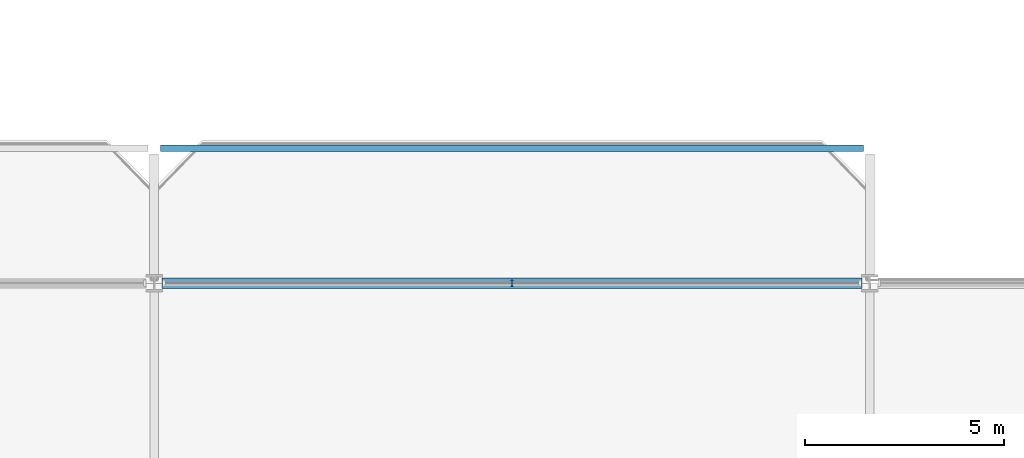
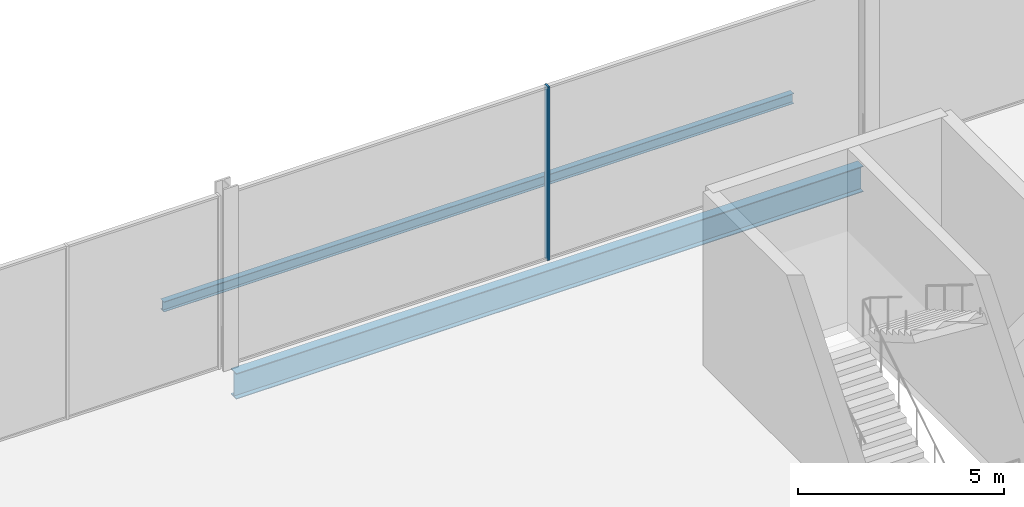
# One storey, part 27 of 113: 2 beams, 1 member, 1 element without a shape of its own.
"""IFC4 building model written with IfcOpenShell, lengths in metres."""

from ifc_helpers import new_model, si_unit, direction, frame, origin, origin_2d, place, context, subcontext, project, spatial, rectangle, i_section, extrude, material, layer, layer_set, material_profile, profile_set, type_object, element, aggregate, save


model = new_model("IFC4")

# Units and contexts
model_context = context("Model", 3, precision=1e-05, world=origin(), true_north=direction((0.0, 1.0)))
body_context = subcontext(model_context, "Body", "Model", "MODEL_VIEW")
ifc_project = project(units=[si_unit("LENGTHUNIT", "METRE"), si_unit("AREAUNIT", "SQUARE_METRE"), si_unit("VOLUMEUNIT", "CUBIC_METRE"), si_unit("PLANEANGLEUNIT", "RADIAN"), si_unit("MASSUNIT", "GRAM", prefix="KILO")], contexts=[model_context])

# Site, building, storey
site_placement = place(None, origin())
site = spatial("IfcSite", under=ifc_project, at=site_placement, CompositionType="ELEMENT")
building_placement = place(site_placement, origin())
building = spatial("IfcBuilding", under=site, at=building_placement, Name="Kisiwana Market Hall", CompositionType="ELEMENT")
storey_placement = place(building_placement, frame((0.0, 0.0, 6.0)))
storey = spatial("IfcBuildingStorey", under=building, at=storey_placement, Name="L01", CompositionType="ELEMENT", Elevation=6.0)

# Beams
ifc_material_1 = material(Name="Steel S355", Category="steel")
ifc_material_profile_1 = material_profile(ifc_material_1, i_section(OverallWidth=0.2666015625, OverallDepth=0.76220703125, WebThickness=0.014404296875, FlangeThickness=0.021484375, at=origin_2d()), Name="UB 762x267x173")
ifc_profile_set_1 = profile_set([ifc_material_profile_1], Name="Steel S355")
beam_type_1 = type_object("IfcBeamType", Name="BM-GIRD-UB762", PredefinedType="BEAM", material=ifc_profile_set_1)
beam_1_placement = place(storey_placement, frame((117.201904296875, 36.0, -0.631103515625), z_axis=(1.0, 0.0, 0.0), x_axis=(0.0, 1.0, 0.0)))
element("IfcBeam", 1, at=beam_1_placement, inside=storey, type_object=beam_type_1, Name="Floor beam B-0495", PredefinedType="BEAM", context=body_context, shape_type="SweptSolid", body=[
    extrude(i_section(OverallWidth=0.2666015625, OverallDepth=0.76220703125, WebThickness=0.014404296875, FlangeThickness=0.021484375, at=origin_2d()), origin(), (0.0, 0.0, 1.0), 17.59619140625),
])
ifc_material_2 = material(Name="Steel S355", Category="steel")
ifc_material_profile_2 = material_profile(ifc_material_2, i_section(OverallWidth=0.1650390625, OverallDepth=0.303466796875, WebThickness=0.006103515625, FlangeThickness=0.01025390625, at=origin_2d()), Name="UB 305x165x40")
ifc_profile_set_2 = profile_set([ifc_material_profile_2], Name="Steel S355")
beam_type_2 = type_object("IfcBeamType", Name="BM-JOIST-UB305", PredefinedType="JOIST", material=ifc_profile_set_2)
beam_2_placement = place(storey_placement, frame((117.159912109375, 39.39990234375, -0.351806640625), z_axis=(1.0, 0.0, 0.0), x_axis=(0.0, 1.0, 0.0)))
element("IfcBeam", 2, at=beam_2_placement, inside=storey, type_object=beam_type_2, Name="Prow edge tie B-0595", PredefinedType="JOIST", context=body_context, shape_type="SweptSolid", body=[
    extrude(i_section(OverallWidth=0.1650390625, OverallDepth=0.303466796875, WebThickness=0.006103515625, FlangeThickness=0.01025390625, at=origin_2d()), origin(), (0.0, 0.0, 1.0), 17.68017578125),
])

# Curtain wall, member
ifc_material_3 = material(Name="Double-glazed solar-control low-E IGU", Category="glass")
ifc_layer = layer(ifc_material_3, 0.159912109375)
ifc_layer_set = layer_set([ifc_layer], Name="CW-FC-N-8100")
curtain_wall_type = type_object("IfcCurtainWallType", Name="CW-FC-N-8100", PredefinedType="USERDEFINED", material=ifc_layer_set)
curtain_wall_placement = place(storey_placement, origin())
curtain_wall = element("IfcCurtainWall", 3, at=curtain_wall_placement, inside=storey, type_object=curtain_wall_type, Name="Unitised curtain wall CW-023 (L01)", ObjectType="UNITISED CURTAIN WALL", PredefinedType="USERDEFINED")
ifc_material_4 = material(Name="Aluminium alloy 6063-T6", Category="aluminium")
ifc_material_profile_3 = material_profile(ifc_material_4, rectangle(XDim=0.06005859375, YDim=0.159912109375, at=origin_2d()), Name="ALU MULLION 60x160")
ifc_profile_set_3 = profile_set([ifc_material_profile_3], Name="Aluminium alloy 6063-T6")
member_type = type_object("IfcMemberType", Name="CW-MULL-60x160", PredefinedType="MULLION", material=ifc_profile_set_3)
member_placement = place(storey_placement, frame((126.0, 36.0, 0.0), z_axis=(0.0, 0.0, 1.0), x_axis=(1.0, 0.0, 0.0)))
member = element("IfcMember", 4, at=member_placement, type_object=member_type, Name="CW-023 mullion 2", PredefinedType="MULLION", context=body_context, shape_type="SweptSolid", body=[
    extrude(rectangle(XDim=0.06005859375, YDim=0.159912109375, at=origin_2d()), origin(), (0.0, 0.0, 1.0), 5.14990234375),
])
aggregate(curtain_wall, [member])

save(model, "model.ifc")
